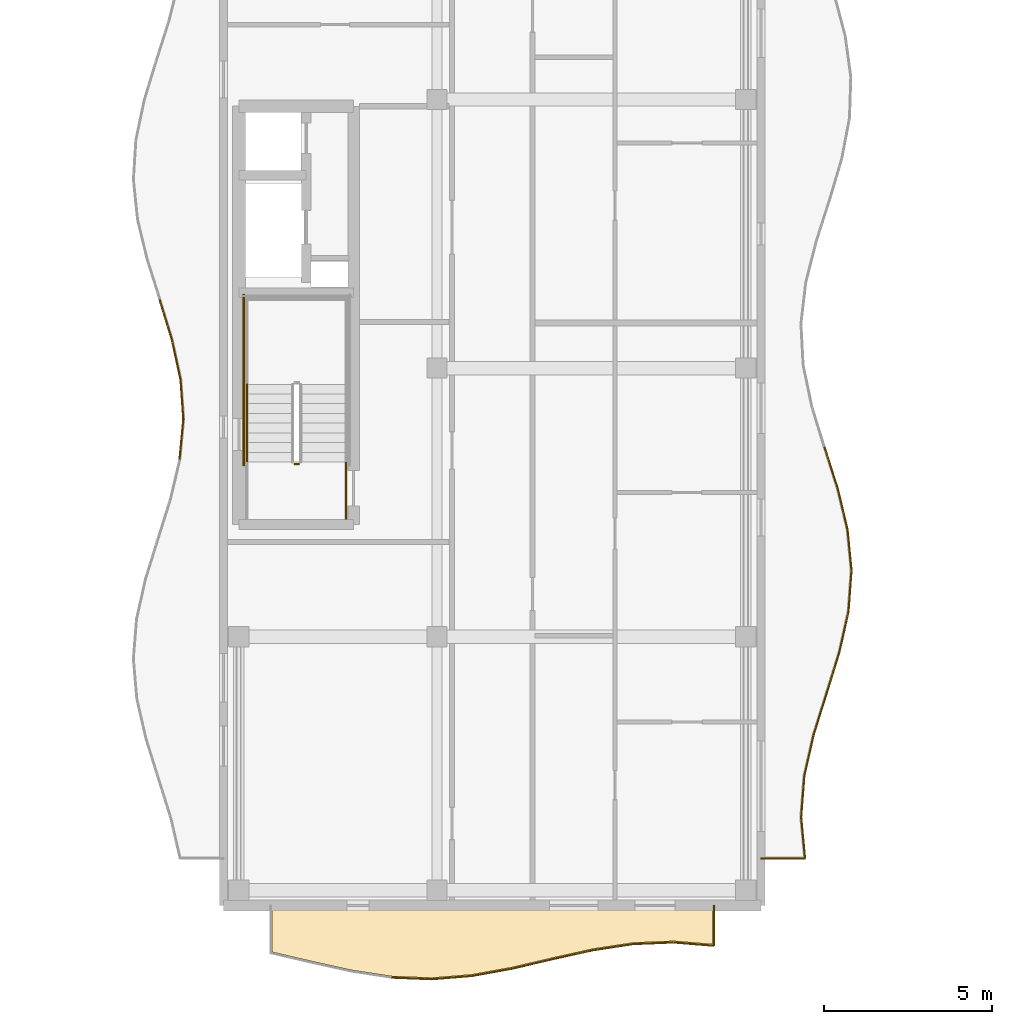
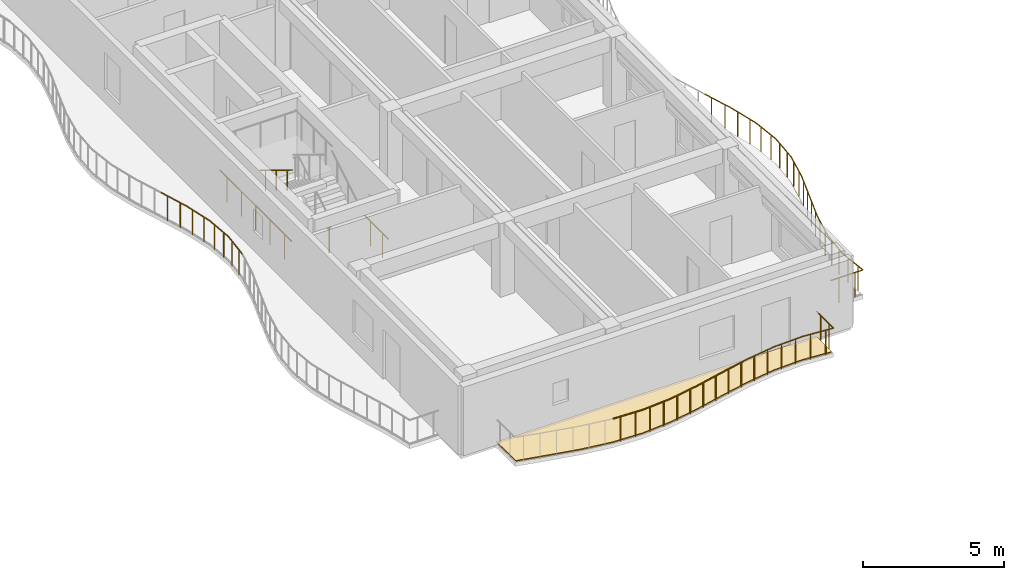
# One storey, part 52 of 76: 28 railings, 1 covering.
"""IFC4 building model written with IfcOpenShell, lengths in metres."""

from ifc_helpers import new_model, si_unit, direction, frame, origin, origin_2d, place, context, subcontext, project, spatial, polyline, circle, outline, extrude, material, layer, layer_set, type_object, element, save


model = new_model("IFC4")

# Units and contexts
model_context = context("Model", 3, precision=1e-05, world=origin(), true_north=direction((0.0, 1.0)))
body_context = subcontext(model_context, "Body", "Model", "MODEL_VIEW")
ifc_project = project(units=[si_unit("LENGTHUNIT", "METRE"), si_unit("AREAUNIT", "SQUARE_METRE"), si_unit("VOLUMEUNIT", "CUBIC_METRE"), si_unit("PLANEANGLEUNIT", "RADIAN"), si_unit("MASSUNIT", "GRAM", prefix="KILO")], contexts=[model_context])

# Site, building, storey
site_placement = place(None, origin())
site = spatial("IfcSite", under=ifc_project, at=site_placement, CompositionType="ELEMENT")
building_placement = place(site_placement, origin())
building = spatial("IfcBuilding", under=site, at=building_placement, Name="Keldmere Railside Commons", CompositionType="ELEMENT")
storey_placement = place(building_placement, frame((0.0, 0.0, 13.760009765625)))
storey = spatial("IfcBuildingStorey", under=building, at=storey_placement, Name="L04", CompositionType="ELEMENT", Elevation=13.760009765625)

# Railings
ifc_material_1 = material(Name="Steel F-24 (S235)", Category="steel")
railing_type_1 = type_object("IfcRailingType", Name="Balcony & Terrace Steel Balustrade 1100", PredefinedType="BALUSTRADE", material=ifc_material_1)
railing_1_placement = place(storey_placement, frame((64.0, 57.39990234375, 0.0)))
element("IfcRailing", 1, at=railing_1_placement, inside=storey, type_object=railing_type_1, Name="GR-1 GRD-L04-1212", PredefinedType="BALUSTRADE", context=body_context, shape_type="SweptSolid", body=[
    extrude(circle(Radius=0.02392578125, at=origin_2d()), frame((0.0, 0.0, 1.076171875), z_axis=(1.0, 0.0, 0.0), x_axis=(0.0, 1.0, 0.0)), (0.0, 0.0, 1.0), 1.3154296875),
    extrude(circle(Radius=0.02099609375, at=origin_2d()), frame((0.328857421875, 0.0, 0.0)), (0.0, 0.0, 1.0), 1.048095703125),
    extrude(circle(Radius=0.02099609375, at=origin_2d()), frame((0.986572265625, 0.0, 0.0)), (0.0, 0.0, 1.0), 1.048095703125),
])
railing_2_placement = place(storey_placement, frame((65.3154296875, 57.39990234375, 0.0)))
element("IfcRailing", 2, at=railing_2_placement, inside=storey, type_object=railing_type_1, Name="GR-1 GRD-L04-1213", PredefinedType="BALUSTRADE", context=body_context, shape_type="SweptSolid", body=[
    extrude(circle(Radius=0.02392578125, at=origin_2d()), frame((0.0, 0.0, 1.076171875), z_axis=(-0.093648013922, 0.995605368351, 0.0), x_axis=(-0.995605368351, -0.093648013922, 0.0)), (0.0, 0.0, 1.0), 1.23046875),
    extrude(circle(Radius=0.02099609375, at=origin_2d()), frame((-0.02880859375, 0.30615234375, 0.0)), (0.0, 0.0, 1.0), 1.048095703125),
    extrude(circle(Radius=0.02099609375, at=origin_2d()), frame((-0.08642578125, 0.9189453125, 0.0)), (0.0, 0.0, 1.0), 1.048095703125),
])
railing_3_placement = place(storey_placement, frame((65.2001953125, 58.625, 0.0)))
element("IfcRailing", 3, at=railing_3_placement, inside=storey, type_object=railing_type_1, Name="GR-1 GRD-L04-1214", PredefinedType="BALUSTRADE", context=body_context, shape_type="SweptSolid", body=[
    extrude(circle(Radius=0.02392578125, at=origin_2d()), frame((0.0, 0.0, 1.076171875), z_axis=(0.076498967578, 0.997069660535, 0.0), x_axis=(-0.997069660535, 0.076498967578, 0.0)), (0.0, 0.0, 1.0), 1.228759765625),
    extrude(circle(Radius=0.02099609375, at=origin_2d()), frame((0.0234375, 0.30615234375, 0.0)), (0.0, 0.0, 1.0), 1.048095703125),
    extrude(circle(Radius=0.02099609375, at=origin_2d()), frame((0.070556640625, 0.9189453125, 0.0)), (0.0, 0.0, 1.0), 1.048095703125),
])
railing_4_placement = place(storey_placement, frame((65.294189453125, 59.85009765625, 0.0)))
element("IfcRailing", 4, at=railing_4_placement, inside=storey, type_object=railing_type_1, Name="GR-1 GRD-L04-1215", PredefinedType="BALUSTRADE", context=body_context, shape_type="SweptSolid", body=[
    extrude(circle(Radius=0.02392578125, at=origin_2d()), frame((0.0, 0.0, 1.076171875), z_axis=(0.22046972109, 0.975393818969, 0.0), x_axis=(-0.975393818969, 0.22046972109, 0.0)), (0.0, 0.0, 1.0), 1.255859375),
    extrude(circle(Radius=0.02099609375, at=origin_2d()), frame((0.0693359375, 0.30615234375, 0.0)), (0.0, 0.0, 1.0), 1.048095703125),
    extrude(circle(Radius=0.02099609375, at=origin_2d()), frame((0.20751953125, 0.918701171875, 0.0)), (0.0, 0.0, 1.0), 1.048095703125),
])
railing_5_placement = place(storey_placement, frame((65.571044921875, 61.074951171875, 0.0)))
element("IfcRailing", 5, at=railing_5_placement, inside=storey, type_object=railing_type_1, Name="GR-1 GRD-L04-1216", PredefinedType="BALUSTRADE", context=body_context, shape_type="SweptSolid", body=[
    extrude(circle(Radius=0.02392578125, at=origin_2d()), frame((0.0, 0.0, 1.076171875), z_axis=(0.29808002488, 0.954540883759, 0.0), x_axis=(-0.954540883759, 0.29808002488, 0.0)), (0.0, 0.0, 1.0), 1.283447265625),
    extrude(circle(Radius=0.02099609375, at=origin_2d()), frame((0.095703125, 0.30615234375, 0.0)), (0.0, 0.0, 1.0), 1.048095703125),
    extrude(circle(Radius=0.02099609375, at=origin_2d()), frame((0.286865234375, 0.9189453125, 0.0)), (0.0, 0.0, 1.0), 1.048095703125),
])
railing_6_placement = place(storey_placement, frame((65.95361328125, 62.300048828125, 0.0)))
element("IfcRailing", 6, at=railing_6_placement, inside=storey, type_object=railing_type_1, Name="GR-1 GRD-L04-1217", PredefinedType="BALUSTRADE", context=body_context, shape_type="SweptSolid", body=[
    extrude(circle(Radius=0.02392578125, at=origin_2d()), frame((0.0, 0.0, 1.076171875), z_axis=(0.29744053438, 0.954740346119, 0.0), x_axis=(-0.954740346119, 0.29744053438, 0.0)), (0.0, 0.0, 1.0), 1.282958984375),
    extrude(circle(Radius=0.02099609375, at=origin_2d()), frame((0.095458984375, 0.30615234375, 0.0)), (0.0, 0.0, 1.0), 1.048095703125),
    extrude(circle(Radius=0.02099609375, at=origin_2d()), frame((0.2861328125, 0.918701171875, 0.0)), (0.0, 0.0, 1.0), 1.048095703125),
])
railing_7_placement = place(storey_placement, frame((66.335205078125, 63.52490234375, 0.0)))
element("IfcRailing", 7, at=railing_7_placement, inside=storey, type_object=railing_type_1, Name="GR-1 GRD-L04-1218", PredefinedType="BALUSTRADE", context=body_context, shape_type="SweptSolid", body=[
    extrude(circle(Radius=0.02392578125, at=origin_2d()), frame((0.0, 0.0, 1.076171875), z_axis=(0.218392187278, 0.975861082601, 0.0), x_axis=(-0.975861082601, 0.218392187278, 0.0)), (0.0, 0.0, 1.0), 1.25537109375),
    extrude(circle(Radius=0.02099609375, at=origin_2d()), frame((0.068603515625, 0.30615234375, 0.0)), (0.0, 0.0, 1.0), 1.048095703125),
    extrude(circle(Radius=0.02099609375, at=origin_2d()), frame((0.20556640625, 0.9189453125, 0.0)), (0.0, 0.0, 1.0), 1.048095703125),
])
railing_8_placement = place(storey_placement, frame((66.609375, 64.75, 0.0)))
element("IfcRailing", 8, at=railing_8_placement, inside=storey, type_object=railing_type_1, Name="GR-1 GRD-L04-1219", PredefinedType="BALUSTRADE", context=body_context, shape_type="SweptSolid", body=[
    extrude(circle(Radius=0.02392578125, at=origin_2d()), frame((0.0, 0.0, 1.076171875), z_axis=(0.07333725707, 0.997307197771, 0.0), x_axis=(-0.997307197771, 0.07333725707, 0.0)), (0.0, 0.0, 1.0), 1.228515625),
    extrude(circle(Radius=0.02099609375, at=origin_2d()), frame((0.0224609375, 0.30615234375, 0.0)), (0.0, 0.0, 1.0), 1.048095703125),
    extrude(circle(Radius=0.02099609375, at=origin_2d()), frame((0.067626953125, 0.9189453125, 0.0)), (0.0, 0.0, 1.0), 1.048095703125),
])
railing_9_placement = place(storey_placement, frame((66.699462890625, 65.97509765625, 0.0)))
element("IfcRailing", 9, at=railing_9_placement, inside=storey, type_object=railing_type_1, Name="GR-1 GRD-L04-1220", PredefinedType="BALUSTRADE", context=body_context, shape_type="SweptSolid", body=[
    extrude(circle(Radius=0.02392578125, at=origin_2d()), frame((0.0, 0.0, 1.076171875), z_axis=(-0.096615844219, 0.995321746294, 0.0), x_axis=(-0.995321746294, -0.096615844219, 0.0)), (0.0, 0.0, 1.0), 1.230712890625),
    extrude(circle(Radius=0.02099609375, at=origin_2d()), frame((-0.02978515625, 0.30615234375, 0.0)), (0.0, 0.0, 1.0), 1.048095703125),
    extrude(circle(Radius=0.02099609375, at=origin_2d()), frame((-0.089111328125, 0.918701171875, 0.0)), (0.0, 0.0, 1.0), 1.048095703125),
])
railing_10_placement = place(storey_placement, frame((66.58056640625, 67.199951171875, 0.0)))
element("IfcRailing", 10, at=railing_10_placement, inside=storey, type_object=railing_type_1, Name="GR-1 GRD-L04-1221", PredefinedType="BALUSTRADE", context=body_context, shape_type="SweptSolid", body=[
    extrude(circle(Radius=0.02392578125, at=origin_2d()), frame((0.0, 0.0, 1.076171875), z_axis=(-0.233863908926, 0.972269341336, 0.0), x_axis=(-0.972269341336, -0.233863908926, 0.0)), (0.0, 0.0, 1.0), 1.260009765625),
    extrude(circle(Radius=0.02099609375, at=origin_2d()), frame((-0.07373046875, 0.30615234375, 0.0)), (0.0, 0.0, 1.0), 1.048095703125),
    extrude(circle(Radius=0.02099609375, at=origin_2d()), frame((-0.220947265625, 0.9189453125, 0.0)), (0.0, 0.0, 1.0), 1.048095703125),
])
railing_11_placement = place(storey_placement, frame((66.285888671875, 68.425048828125, 0.0)))
element("IfcRailing", 11, at=railing_11_placement, inside=storey, type_object=railing_type_1, Name="GR-1 GRD-L04-1222", PredefinedType="BALUSTRADE", context=body_context, shape_type="SweptSolid", body=[
    extrude(circle(Radius=0.02392578125, at=origin_2d()), frame((0.0, 0.0, 1.076171875), z_axis=(-0.302458589215, 0.95316252644, 0.0), x_axis=(-0.95316252644, -0.302458589215, 0.0)), (0.0, 0.0, 1.0), 1.28515625),
    extrude(circle(Radius=0.02099609375, at=origin_2d()), frame((-0.09716796875, 0.30615234375, 0.0)), (0.0, 0.0, 1.0), 1.048095703125),
    extrude(circle(Radius=0.02099609375, at=origin_2d()), frame((-0.29150390625, 0.918701171875, 0.0)), (0.0, 0.0, 1.0), 1.048095703125),
])
railing_12_placement = place(storey_placement, frame((46.686279296875, 69.288818359375, 0.0)))
element("IfcRailing", 12, at=railing_12_placement, inside=storey, type_object=railing_type_1, Name="GR-1 GRD-L04-1249", PredefinedType="BALUSTRADE", context=body_context, shape_type="SweptSolid", body=[
    extrude(circle(Radius=0.02392578125, at=origin_2d()), frame((0.0, 0.0, 1.076171875), z_axis=(0.09464509833, 0.995511077468, 0.0), x_axis=(-0.995511077468, 0.09464509833, 0.0)), (0.0, 0.0, 1.0), 1.1943359375),
    extrude(circle(Radius=0.02099609375, at=origin_2d()), frame((0.0283203125, 0.29736328125, 0.0)), (0.0, 0.0, 1.0), 1.048095703125),
    extrude(circle(Radius=0.02099609375, at=origin_2d()), frame((0.084716796875, 0.8916015625, 0.0)), (0.0, 0.0, 1.0), 1.048095703125),
])
railing_13_placement = place(storey_placement, frame((46.79931640625, 70.477783203125, 0.0)))
element("IfcRailing", 13, at=railing_13_placement, inside=storey, type_object=railing_type_1, Name="GR-1 GRD-L04-1250", PredefinedType="BALUSTRADE", context=body_context, shape_type="SweptSolid", body=[
    extrude(circle(Radius=0.02392578125, at=origin_2d()), frame((0.0, 0.0, 1.076171875), z_axis=(-0.070460985704, 0.997514535981, 0.0), x_axis=(-0.997514535981, -0.070460985704, 0.0)), (0.0, 0.0, 1.0), 1.19189453125),
    extrude(circle(Radius=0.02099609375, at=origin_2d()), frame((-0.02099609375, 0.29736328125, 0.0)), (0.0, 0.0, 1.0), 1.048095703125),
    extrude(circle(Radius=0.02099609375, at=origin_2d()), frame((-0.06298828125, 0.8916015625, 0.0)), (0.0, 0.0, 1.0), 1.048095703125),
])
railing_14_placement = place(storey_placement, frame((46.71533203125, 71.666748046875, 0.0)))
element("IfcRailing", 14, at=railing_14_placement, inside=storey, type_object=railing_type_1, Name="GR-1 GRD-L04-1251", PredefinedType="BALUSTRADE", context=body_context, shape_type="SweptSolid", body=[
    extrude(circle(Radius=0.02392578125, at=origin_2d()), frame((0.0, 0.0, 1.076171875), z_axis=(-0.212871086592, 0.97708029378, 0.0), x_axis=(-0.97708029378, -0.212871086592, 0.0)), (0.0, 0.0, 1.0), 1.216796875),
    extrude(circle(Radius=0.02099609375, at=origin_2d()), frame((-0.064697265625, 0.29736328125, 0.0)), (0.0, 0.0, 1.0), 1.048095703125),
    extrude(circle(Radius=0.02099609375, at=origin_2d()), frame((-0.1943359375, 0.8916015625, 0.0)), (0.0, 0.0, 1.0), 1.048095703125),
])
railing_15_placement = place(storey_placement, frame((46.456298828125, 72.855712890625, 0.0)))
element("IfcRailing", 15, at=railing_15_placement, inside=storey, type_object=railing_type_1, Name="GR-1 GRD-L04-1252", PredefinedType="BALUSTRADE", context=body_context, shape_type="SweptSolid", body=[
    extrude(circle(Radius=0.02392578125, at=origin_2d()), frame((0.0, 0.0, 1.076171875), z_axis=(-0.29423757141, 0.95573231167, 0.0), x_axis=(-0.95573231167, -0.29423757141, 0.0)), (0.0, 0.0, 1.0), 1.243896484375),
    extrude(circle(Radius=0.02099609375, at=origin_2d()), frame((-0.091552734375, 0.297119140625, 0.0)), (0.0, 0.0, 1.0), 1.048095703125),
    extrude(circle(Radius=0.02099609375, at=origin_2d()), frame((-0.2744140625, 0.8916015625, 0.0)), (0.0, 0.0, 1.0), 1.048095703125),
])
railing_16_placement = place(storey_placement, frame((53.0, 53.850830078125, 0.0)))
element("IfcRailing", 16, at=railing_16_placement, inside=storey, type_object=railing_type_1, Name="GR-1 GRD-L04-1297", PredefinedType="BALUSTRADE", context=body_context, shape_type="SweptSolid", body=[
    extrude(circle(Radius=0.02392578125, at=origin_2d()), frame((0.0, 0.0, 1.076171875), z_axis=(0.999181355104, -0.040455155578, 0.0), x_axis=(0.040455155578, 0.999181355104, 0.0)), (0.0, 0.0, 1.0), 1.200927734375),
    extrude(circle(Radius=0.02099609375, at=origin_2d()), frame((0.300048828125, -0.01220703125, 0.0)), (0.0, 0.0, 1.0), 1.048095703125),
    extrude(circle(Radius=0.02099609375, at=origin_2d()), frame((0.89990234375, -0.036376953125, 0.0)), (0.0, 0.0, 1.0), 1.048095703125),
])
railing_17_placement = place(storey_placement, frame((54.199951171875, 53.80224609375, 0.0)))
element("IfcRailing", 17, at=railing_17_placement, inside=storey, type_object=railing_type_1, Name="GR-1 GRD-L04-1298", PredefinedType="BALUSTRADE", context=body_context, shape_type="SweptSolid", body=[
    extrude(circle(Radius=0.02392578125, at=origin_2d()), frame((0.0, 0.0, 1.076171875), z_axis=(0.996671851072, 0.08151822668, 0.0), x_axis=(-0.08151822668, 0.996671851072, 0.0)), (0.0, 0.0, 1.0), 1.203857421875),
    extrude(circle(Radius=0.02099609375, at=origin_2d()), frame((0.300048828125, 0.0244140625, 0.0)), (0.0, 0.0, 1.0), 1.048095703125),
    extrude(circle(Radius=0.02099609375, at=origin_2d()), frame((0.89990234375, 0.07373046875, 0.0)), (0.0, 0.0, 1.0), 1.048095703125),
])
railing_18_placement = place(storey_placement, frame((55.39990234375, 53.900390625, 0.0)))
element("IfcRailing", 18, at=railing_18_placement, inside=storey, type_object=railing_type_1, Name="GR-1 GRD-L04-1299", PredefinedType="BALUSTRADE", context=body_context, shape_type="SweptSolid", body=[
    extrude(circle(Radius=0.02392578125, at=origin_2d()), frame((0.0, 0.0, 1.076171875), z_axis=(0.983792972999, 0.179308076446, 0.0), x_axis=(-0.179308076446, 0.983792972999, 0.0)), (0.0, 0.0, 1.0), 1.219970703125),
    extrude(circle(Radius=0.02099609375, at=origin_2d()), frame((0.300048828125, 0.0546875, 0.0)), (0.0, 0.0, 1.0), 1.048095703125),
    extrude(circle(Radius=0.02099609375, at=origin_2d()), frame((0.900146484375, 0.1640625, 0.0)), (0.0, 0.0, 1.0), 1.048095703125),
])
railing_19_placement = place(storey_placement, frame((56.60009765625, 54.119140625, 0.0)))
element("IfcRailing", 19, at=railing_19_placement, inside=storey, type_object=railing_type_1, Name="GR-1 GRD-L04-1300", PredefinedType="BALUSTRADE", context=body_context, shape_type="SweptSolid", body=[
    extrude(circle(Radius=0.02392578125, at=origin_2d()), frame((0.0, 0.0, 1.076171875), z_axis=(0.973746136947, 0.227636685931, 0.0), x_axis=(-0.227636685931, 0.973746136947, 0.0)), (0.0, 0.0, 1.0), 1.232421875),
    extrude(circle(Radius=0.02099609375, at=origin_2d()), frame((0.300048828125, 0.070068359375, 0.0)), (0.0, 0.0, 1.0), 1.048095703125),
    extrude(circle(Radius=0.02099609375, at=origin_2d()), frame((0.89990234375, 0.21044921875, 0.0)), (0.0, 0.0, 1.0), 1.048095703125),
])
railing_20_placement = place(storey_placement, frame((57.800048828125, 54.399658203125, 0.0)))
element("IfcRailing", 20, at=railing_20_placement, inside=storey, type_object=railing_type_1, Name="GR-1 GRD-L04-1301", PredefinedType="BALUSTRADE", context=body_context, shape_type="SweptSolid", body=[
    extrude(circle(Radius=0.02392578125, at=origin_2d()), frame((0.0, 0.0, 1.076171875), z_axis=(0.976070100967, 0.217456105912, 0.0), x_axis=(-0.217456105912, 0.976070100967, 0.0)), (0.0, 0.0, 1.0), 1.229248046875),
    extrude(circle(Radius=0.02099609375, at=origin_2d()), frame((0.300048828125, 0.06689453125, 0.0)), (0.0, 0.0, 1.0), 1.048095703125),
    extrude(circle(Radius=0.02099609375, at=origin_2d()), frame((0.89990234375, 0.200439453125, 0.0)), (0.0, 0.0, 1.0), 1.048095703125),
])
railing_21_placement = place(storey_placement, frame((59.0, 54.6669921875, 0.0)))
element("IfcRailing", 21, at=railing_21_placement, inside=storey, type_object=railing_type_1, Name="GR-1 GRD-L04-1302", PredefinedType="BALUSTRADE", context=body_context, shape_type="SweptSolid", body=[
    extrude(circle(Radius=0.02392578125, at=origin_2d()), frame((0.0, 0.0, 1.076171875), z_axis=(0.988676648477, 0.150061603207, 0.0), x_axis=(-0.150061603207, 0.988676648477, 0.0)), (0.0, 0.0, 1.0), 1.213623046875),
    extrude(circle(Radius=0.02099609375, at=origin_2d()), frame((0.300048828125, 0.04541015625, 0.0)), (0.0, 0.0, 1.0), 1.048095703125),
    extrude(circle(Radius=0.02099609375, at=origin_2d()), frame((0.89990234375, 0.13671875, 0.0)), (0.0, 0.0, 1.0), 1.048095703125),
])
railing_22_placement = place(storey_placement, frame((60.199951171875, 54.84912109375, 0.0)))
element("IfcRailing", 22, at=railing_22_placement, inside=storey, type_object=railing_type_1, Name="GR-1 GRD-L04-1303", PredefinedType="BALUSTRADE", context=body_context, shape_type="SweptSolid", body=[
    extrude(circle(Radius=0.02392578125, at=origin_2d()), frame((0.0, 0.0, 1.076171875), z_axis=(0.999181355104, 0.040455155578, 0.0), x_axis=(-0.040455155578, 0.999181355104, 0.0)), (0.0, 0.0, 1.0), 1.200927734375),
    extrude(circle(Radius=0.02099609375, at=origin_2d()), frame((0.300048828125, 0.01220703125, 0.0)), (0.0, 0.0, 1.0), 1.048095703125),
    extrude(circle(Radius=0.02099609375, at=origin_2d()), frame((0.89990234375, 0.036376953125, 0.0)), (0.0, 0.0, 1.0), 1.048095703125),
])
railing_23_placement = place(storey_placement, frame((61.39990234375, 54.897705078125, 0.0)))
element("IfcRailing", 23, at=railing_23_placement, inside=storey, type_object=railing_type_1, Name="GR-1 GRD-L04-1304", PredefinedType="BALUSTRADE", context=body_context, shape_type="SweptSolid", body=[
    extrude(circle(Radius=0.02392578125, at=origin_2d()), frame((0.0, 0.0, 1.076171875), z_axis=(0.996673198192, -0.081501754612, 0.0), x_axis=(0.081501754612, 0.996673198192, 0.0)), (0.0, 0.0, 1.0), 1.2041015625),
    extrude(circle(Radius=0.02099609375, at=origin_2d()), frame((0.300048828125, -0.0244140625, 0.0)), (0.0, 0.0, 1.0), 1.048095703125),
    extrude(circle(Radius=0.02099609375, at=origin_2d()), frame((0.900146484375, -0.07373046875, 0.0)), (0.0, 0.0, 1.0), 1.048095703125),
])
railing_24_placement = place(storey_placement, frame((62.60009765625, 54.799560546875, 0.0)))
element("IfcRailing", 24, at=railing_24_placement, inside=storey, type_object=railing_type_1, Name="GR-1 GRD-L04-1305", PredefinedType="BALUSTRADE", context=body_context, shape_type="SweptSolid", body=[
    extrude(circle(Radius=0.02392578125, at=origin_2d()), frame((0.0, 0.0, 1.076171875), z_axis=(0.0, 1.0, 0.0), x_axis=(-1.0, 0.0, 0.0)), (0.0, 0.0, 1.0), 1.200439453125),
    extrude(circle(Radius=0.02099609375, at=origin_2d()), frame((0.0, 0.300048828125, 0.0)), (0.0, 0.0, 1.0), 1.048095703125),
    extrude(circle(Radius=0.02099609375, at=origin_2d()), frame((0.0, 0.900390625, 0.0)), (0.0, 0.0, 1.0), 1.048095703125),
])
railing_type_2 = type_object("IfcRailingType", Name="Stair Well Steel Guardrail 1100", PredefinedType="BALUSTRADE", material=ifc_material_1)
railing_25_placement = place(storey_placement, frame((50.25, 69.14990234375, 0.0)))
element("IfcRailing", 25, at=railing_25_placement, inside=storey, type_object=railing_type_2, Name="L04 ST-C1 stair guard 7", PredefinedType="BALUSTRADE", context=body_context, shape_type="SweptSolid", body=[
    extrude(circle(Radius=0.02392578125, at=origin_2d()), frame((0.0, 0.0, 1.076171875), z_axis=(-1.0, 0.0, 0.0), x_axis=(0.0, -1.0, 0.0)), (0.0, 0.0, 1.0), 0.14990234375),
    extrude(circle(Radius=0.02099609375, at=origin_2d()), frame((-0.074951171875, 0.0, 0.0)), (0.0, 0.0, 1.0), 1.048095703125),
])
railing_26_placement = place(storey_placement, frame((51.64990234375, 67.5, 0.0)))
element("IfcRailing", 26, at=railing_26_placement, inside=storey, type_object=railing_type_2, Name="L04 ST-C1 stair guard 8", PredefinedType="BALUSTRADE", context=body_context, shape_type="SweptSolid", body=[
    extrude(circle(Radius=0.02392578125, at=origin_2d()), frame((0.0, 0.0, 1.076171875), z_axis=(0.0, 1.0, 0.0), x_axis=(-1.0, 0.0, 0.0)), (0.0, 0.0, 1.0), 1.699951171875),
    extrude(circle(Radius=0.02099609375, at=origin_2d()), frame((0.0, 0.425048828125, 0.0)), (0.0, 0.0, 1.0), 1.048095703125),
    extrude(circle(Radius=0.02099609375, at=origin_2d()), frame((0.0, 1.27490234375, 0.0)), (0.0, 0.0, 1.0), 1.048095703125),
])
railing_27_placement = place(storey_placement, frame((48.60009765625, 69.10009765625, 0.0)))
element("IfcRailing", 27, at=railing_27_placement, inside=storey, type_object=railing_type_2, Name="L04 ST-C1 stair guard 11", PredefinedType="BALUSTRADE", context=body_context, shape_type="SweptSolid", body=[
    extrude(circle(Radius=0.02392578125, at=origin_2d()), frame((0.0, 0.0, 1.076171875), z_axis=(0.0, 1.0, 0.0), x_axis=(-1.0, 0.0, 0.0)), (0.0, 0.0, 1.0), 5.099853515625),
    extrude(circle(Radius=0.02099609375, at=origin_2d()), frame((0.0, 0.510009765625, 0.0)), (0.0, 0.0, 1.0), 1.048095703125),
    extrude(circle(Radius=0.02099609375, at=origin_2d()), frame((0.0, 1.530029296875, 0.0)), (0.0, 0.0, 1.0), 1.048095703125),
    extrude(circle(Radius=0.02099609375, at=origin_2d()), frame((0.0, 2.5498046875, 0.0)), (0.0, 0.0, 1.0), 1.048095703125),
    extrude(circle(Radius=0.02099609375, at=origin_2d()), frame((0.0, 3.56982421875, 0.0)), (0.0, 0.0, 1.0), 1.048095703125),
    extrude(circle(Radius=0.02099609375, at=origin_2d()), frame((0.0, 4.58984375, 0.0)), (0.0, 0.0, 1.0), 1.048095703125),
])
railing_type_3 = type_object("IfcRailingType", Name="Wall-Mounted Tubular Steel Handrail 900", PredefinedType="HANDRAIL", material=ifc_material_1)
railing_28_placement = place(storey_placement, frame((48.699951171875, 71.52001953125, 1.77783203125)))
element("IfcRailing", 28, at=railing_28_placement, inside=storey, type_object=railing_type_3, Name="L04 ST-C1 stair handrail 2", PredefinedType="HANDRAIL", context=body_context, shape_type="SweptSolid", body=[
    extrude(circle(Radius=0.02392578125, at=origin_2d()), frame((0.0, 0.0, 0.8759765625), z_axis=(0.0, -0.852578041948, 0.522599925744), x_axis=(1.0, 0.0, 0.0)), (0.0, 0.0, 1.0), 2.72119140625),
    extrude(circle(Radius=0.02099609375, at=origin_2d()), frame((0.0, -0.38671875, 0.237060546875)), (0.0, 0.0, 1.0), 0.847900390625),
    extrude(circle(Radius=0.02099609375, at=origin_2d()), frame((0.0, -1.16015625, 0.7109375)), (0.0, 0.0, 1.0), 0.847900390625),
    extrude(circle(Radius=0.02099609375, at=origin_2d()), frame((0.0, -1.933349609375, 1.18505859375)), (0.0, 0.0, 1.0), 0.847900390625),
])

# Covering
ifc_material_2 = material(Name="White Precast Concrete C35/45", Category="concrete")
ifc_layer = layer(ifc_material_2, 0.044921875, Name="White Architectural Balcony Ribbon Cladding 45")
ifc_layer_set = layer_set([ifc_layer], Name="White Precast Concrete C35/45")
covering_type = type_object("IfcCoveringType", Name="White Architectural Balcony Ribbon Cladding 45", PredefinedType="FLOORING", material=ifc_layer_set)
covering_placement = place(storey_placement, origin())
element("IfcCovering", 29, at=covering_placement, inside=storey, type_object=covering_type, Name="CLG-WB C L04 S White Balcony Ribbon", PredefinedType="FLOORING", context=body_context, shape_type="SweptSolid", body=[
    extrude(outline(polyline([(50.60888671875, 54.33935546875), (51.807373046875, 54.072509765625), (53.00390625, 53.890625), (54.19921875, 53.84228515625), (55.394775390625, 53.940185546875), (56.591796875, 54.158203125), (57.791015625, 54.438720703125), (57.791259765625, 54.438720703125), (58.9912109375, 54.705810546875), (58.993896484375, 54.706298828125), (60.194091796875, 54.888671875), (60.198486328125, 54.88916015625), (61.3984375, 54.937744140625), (61.4033203125, 54.937744140625), (62.56005859375, 54.843017578125), (62.56005859375, 55.9599609375), (49.43994140625, 55.9599609375), (49.43994140625, 54.612548828125), (50.60888671875, 54.33935546875)])), origin(), (0.0, 0.0, 1.0), 0.044921875),
])

save(model, "model.ifc")
